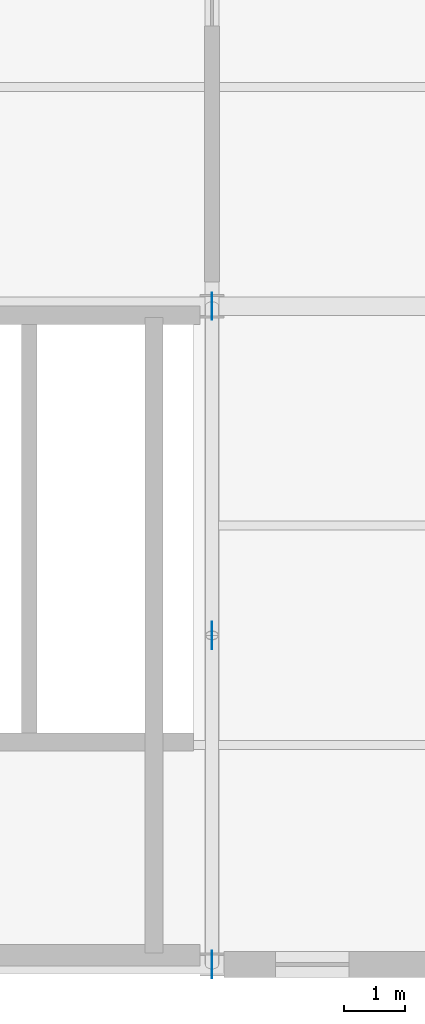
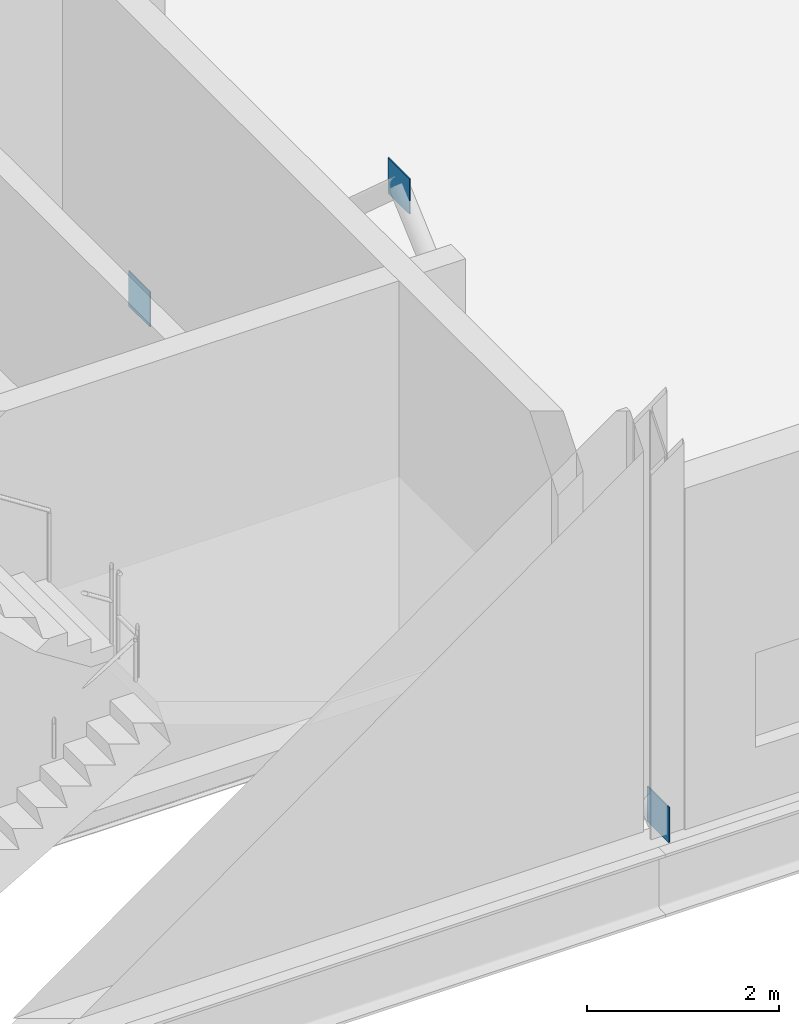
# One storey, part 95 of 111: 3 plates.
"""IFC4 building model written with IfcOpenShell, lengths in metres."""

from ifc_helpers import new_model, si_unit, direction, frame, origin, origin_2d, place, context, subcontext, project, spatial, rectangle, extrude, material, layer, layer_set, type_object, element, save


model = new_model("IFC4")

# Units and contexts
model_context = context("Model", 3, precision=1e-05, world=origin(), true_north=direction((0.0, 1.0)))
body_context = subcontext(model_context, "Body", "Model", "MODEL_VIEW")
ifc_project = project(units=[si_unit("LENGTHUNIT", "METRE"), si_unit("AREAUNIT", "SQUARE_METRE"), si_unit("VOLUMEUNIT", "CUBIC_METRE"), si_unit("PLANEANGLEUNIT", "RADIAN"), si_unit("MASSUNIT", "GRAM", prefix="KILO"), si_unit("THERMODYNAMICTEMPERATUREUNIT", "KELVIN"), si_unit("POWERUNIT", "WATT")], contexts=[model_context])

# Site, building, storey
site_placement = place(None, origin())
site = spatial("IfcSite", under=ifc_project, at=site_placement, CompositionType="ELEMENT")
building_placement = place(site_placement, origin())
building = spatial("IfcBuilding", under=site, at=building_placement, Name="Tembeka Court Mobility Hub", CompositionType="ELEMENT")
storey_placement = place(building_placement, origin())
storey = spatial("IfcBuildingStorey", under=building, at=storey_placement, Name="L00", CompositionType="ELEMENT", Elevation=0.0)

# Plates
ifc_material = material(Name="Steel S355", Category="steel")
ifc_layer = layer(ifc_material, 0.011962890625)
ifc_layer_set = layer_set([ifc_layer], Name="Steel S355")
plate_type = type_object("IfcPlateType", Name="PL-NDP02", PredefinedType="USERDEFINED", material=ifc_layer_set)
for number, where, z_axis, x_axis, name in (
    (1, (164.39990234375, 0.0, -0.0849609375), (0.0, 0.0, 1.0), (1.0, 0.0, 0.0), "Chevron brace gusset plate NDP02 (L00-14-1)"),
    (2, (164.39990234375, 10.800048828125, -0.0849609375), (0.0, 0.0, 1.0), (1.0, 0.0, 0.0), "Chevron brace gusset plate NDP02 (L00-14-2)"),
    (3, (164.39990234375, 5.39990234375, 4.625), (0.0, 0.0, 1.0), (1.0, 0.0, 0.0), "Chevron brace gusset plate NDP02 (L00-14-3)"),
):
    element("IfcPlate", number, at=place(storey_placement, frame(where, z_axis=z_axis, x_axis=x_axis)), inside=storey, type_object=plate_type, Name=name, ObjectType="GUSSET PLATE", PredefinedType="USERDEFINED", context=body_context, shape_type="SweptSolid", body=[
        extrude(rectangle(XDim=0.011962890625, YDim=0.449951171875, at=origin_2d()), origin(), (0.0, 0.0, 1.0), 0.449951171875),
    ])

save(model, "model.ifc")
